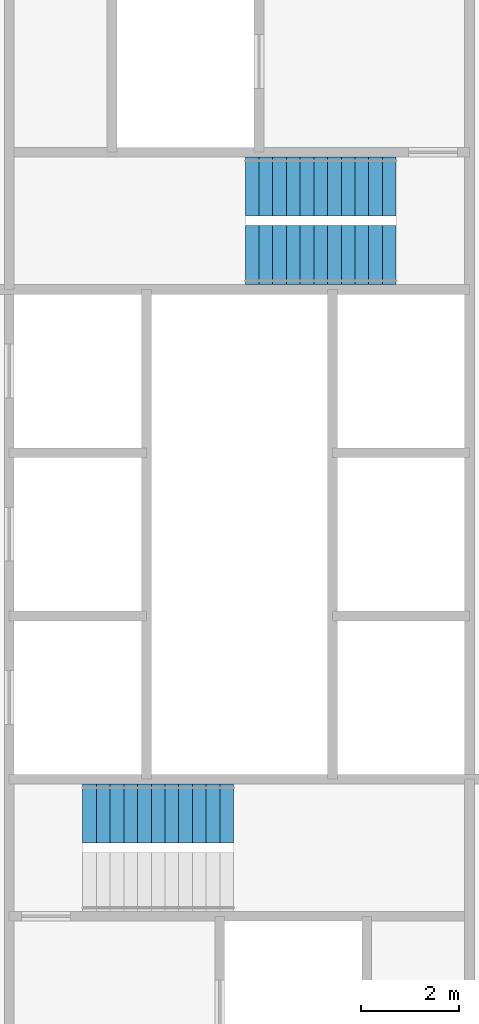
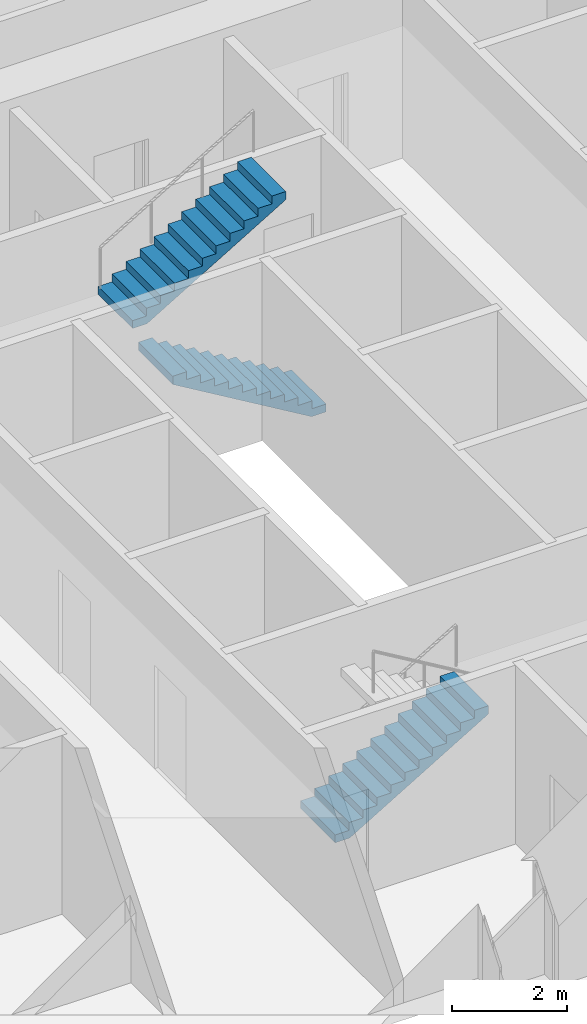
# One storey, part 12 of 14: 3 stair flights, 2 elements without a shape of their own.
"""IFC4 building model written with IfcOpenShell, lengths in metres."""

from ifc_helpers import new_model, si_unit, direction, frame, origin, place, context, subcontext, project, spatial, polyline, outline, extrude, material, type_object, element, aggregate, save


model = new_model("IFC4")

# Units and contexts
model_context = context("Model", 3, precision=1e-05, world=origin(), true_north=direction((0.0, 1.0)))
body_context = subcontext(model_context, "Body", "Model", "MODEL_VIEW")
ifc_project = project(units=[si_unit("LENGTHUNIT", "METRE"), si_unit("AREAUNIT", "SQUARE_METRE"), si_unit("VOLUMEUNIT", "CUBIC_METRE"), si_unit("PLANEANGLEUNIT", "RADIAN"), si_unit("MASSUNIT", "GRAM", prefix="KILO")], contexts=[model_context])

# Site, building, storey
site_placement = place(None, origin())
site = spatial("IfcSite", under=ifc_project, at=site_placement, CompositionType="ELEMENT")
building_placement = place(site_placement, origin())
building = spatial("IfcBuilding", under=site, at=building_placement, Name="Fenwick Lantern Interchange", CompositionType="ELEMENT")
storey_placement = place(building_placement, frame((0.0, 0.0, 154.39990234375)))
storey = spatial("IfcBuildingStorey", under=building, at=storey_placement, Name="L36", CompositionType="ELEMENT", Elevation=154.39990234375)

# Stair, stair flight
ifc_material = material(Name="Precast concrete f'c 35 MPa", Category="concrete")
stair_type = type_object("IfcStairType", Name="EXIT STAIR 1200", PredefinedType="HALF_TURN_STAIR", material=ifc_material)
stair_1_placement = place(storey_placement, origin())
stair_1 = element("IfcStair", 1, at=stair_1_placement, inside=storey, type_object=stair_type, Name="Exit stair ST1", PredefinedType="HALF_TURN_STAIR")
stair_flight_type = type_object("IfcStairFlightType", Name="STAIR FLIGHT 1200", PredefinedType="STRAIGHT", material=ifc_material)
stair_flight_1_placement = place(storey_placement, frame((21.800048828125, 19.300048828125, 0.0), z_axis=(0.0, 0.0, 1.0), x_axis=(1.0, 0.0, 0.0)))
stair_flight_1 = element("IfcStairFlight", 2, at=stair_flight_1_placement, type_object=stair_flight_type, Name="ST1 flight 1", NumberOfRisers=12, NumberOfTreads=11, PredefinedType="STRAIGHT", RiserHeight=0.166666667, TreadLength=0.28, context=body_context, shape_type="SweptSolid", body=[
    extrude(outline(polyline([(0.0, 0.0), (0.0, 0.166748046875), (0.280029296875, 0.166748046875), (0.280029296875, 0.333251953125), (0.56005859375, 0.333251953125), (0.56005859375, 0.5), (0.840087890625, 0.5), (0.840087890625, 0.666748046875), (1.1201171875, 0.666748046875), (1.1201171875, 0.833251953125), (1.39990234375, 0.833251953125), (1.39990234375, 1.0), (1.679931640625, 1.0), (1.679931640625, 1.166748046875), (1.9599609375, 1.166748046875), (1.9599609375, 1.333251953125), (2.239990234375, 1.333251953125), (2.239990234375, 1.5), (2.52001953125, 1.5), (2.52001953125, 1.666748046875), (2.800048828125, 1.666748046875), (2.800048828125, 1.833251953125), (3.080078125, 1.833251953125), (3.080078125, 2.0), (3.080078125, 1.658935546875), (0.29296875, 0.0), (0.0, 0.0)])), frame((0.0, 0.60009765625, 0.0), z_axis=(0.0, -1.0, 0.0), x_axis=(1.0, 0.0, 0.0)), (0.0, 0.0, 1.0), 1.199951171875),
])
aggregate(stair_1, [stair_flight_1])

# Stair, stair flights
stair_2_placement = place(storey_placement, origin())
stair_2 = element("IfcStair", 3, at=stair_2_placement, inside=storey, type_object=stair_type, Name="Exit stair ST2", PredefinedType="HALF_TURN_STAIR")
stair_flight_2_placement = place(storey_placement, frame((28.199951171875, 30.699951171875, 0.0), z_axis=(0.0, 0.0, 1.0), x_axis=(-1.0, 0.0, 0.0)))
stair_flight_2 = element("IfcStairFlight", 4, at=stair_flight_2_placement, type_object=stair_flight_type, Name="ST2 flight 1", NumberOfRisers=12, NumberOfTreads=11, PredefinedType="STRAIGHT", RiserHeight=0.166666667, TreadLength=0.28, context=body_context, shape_type="SweptSolid", body=[
    extrude(outline(polyline([(0.0, 0.0), (0.0, 0.166748046875), (0.280029296875, 0.166748046875), (0.280029296875, 0.333251953125), (0.56005859375, 0.333251953125), (0.56005859375, 0.5), (0.840087890625, 0.5), (0.840087890625, 0.666748046875), (1.1201171875, 0.666748046875), (1.1201171875, 0.833251953125), (1.39990234375, 0.833251953125), (1.39990234375, 1.0), (1.679931640625, 1.0), (1.679931640625, 1.166748046875), (1.9599609375, 1.166748046875), (1.9599609375, 1.333251953125), (2.239990234375, 1.333251953125), (2.239990234375, 1.5), (2.52001953125, 1.5), (2.52001953125, 1.666748046875), (2.800048828125, 1.666748046875), (2.800048828125, 1.833251953125), (3.080078125, 1.833251953125), (3.080078125, 2.0), (3.080078125, 1.658935546875), (0.29296875, 0.0), (0.0, 0.0)])), frame((0.0, 0.60009765625, 0.0), z_axis=(0.0, -1.0, 0.0), x_axis=(1.0, 0.0, 0.0)), (0.0, 0.0, 1.0), 1.199951171875),
])
stair_flight_3_placement = place(storey_placement, frame((25.1201171875, 32.10009765625, 2.0), z_axis=(0.0, 0.0, 1.0), x_axis=(1.0, 0.0, 0.0)))
stair_flight_3 = element("IfcStairFlight", 5, at=stair_flight_3_placement, type_object=stair_flight_type, Name="ST2 flight 2", NumberOfRisers=12, NumberOfTreads=11, PredefinedType="STRAIGHT", RiserHeight=0.166666667, TreadLength=0.28, context=body_context, shape_type="SweptSolid", body=[
    extrude(outline(polyline([(0.0, 0.0), (0.0, 0.166748046875), (0.280029296875, 0.166748046875), (0.280029296875, 0.333251953125), (0.56005859375, 0.333251953125), (0.56005859375, 0.5), (0.840087890625, 0.5), (0.840087890625, 0.666748046875), (1.1201171875, 0.666748046875), (1.1201171875, 0.833251953125), (1.39990234375, 0.833251953125), (1.39990234375, 1.0), (1.679931640625, 1.0), (1.679931640625, 1.166748046875), (1.9599609375, 1.166748046875), (1.9599609375, 1.333251953125), (2.239990234375, 1.333251953125), (2.239990234375, 1.5), (2.52001953125, 1.5), (2.52001953125, 1.666748046875), (2.800048828125, 1.666748046875), (2.800048828125, 1.833251953125), (3.080078125, 1.833251953125), (3.080078125, 2.0), (3.080078125, 1.658935546875), (0.29296875, 0.0), (0.0, 0.0)])), frame((0.0, 0.60009765625, 0.0), z_axis=(0.0, -1.0, 0.0), x_axis=(1.0, 0.0, 0.0)), (0.0, 0.0, 1.0), 1.199951171875),
])
aggregate(stair_2, [stair_flight_2, stair_flight_3])

save(model, "model.ifc")
